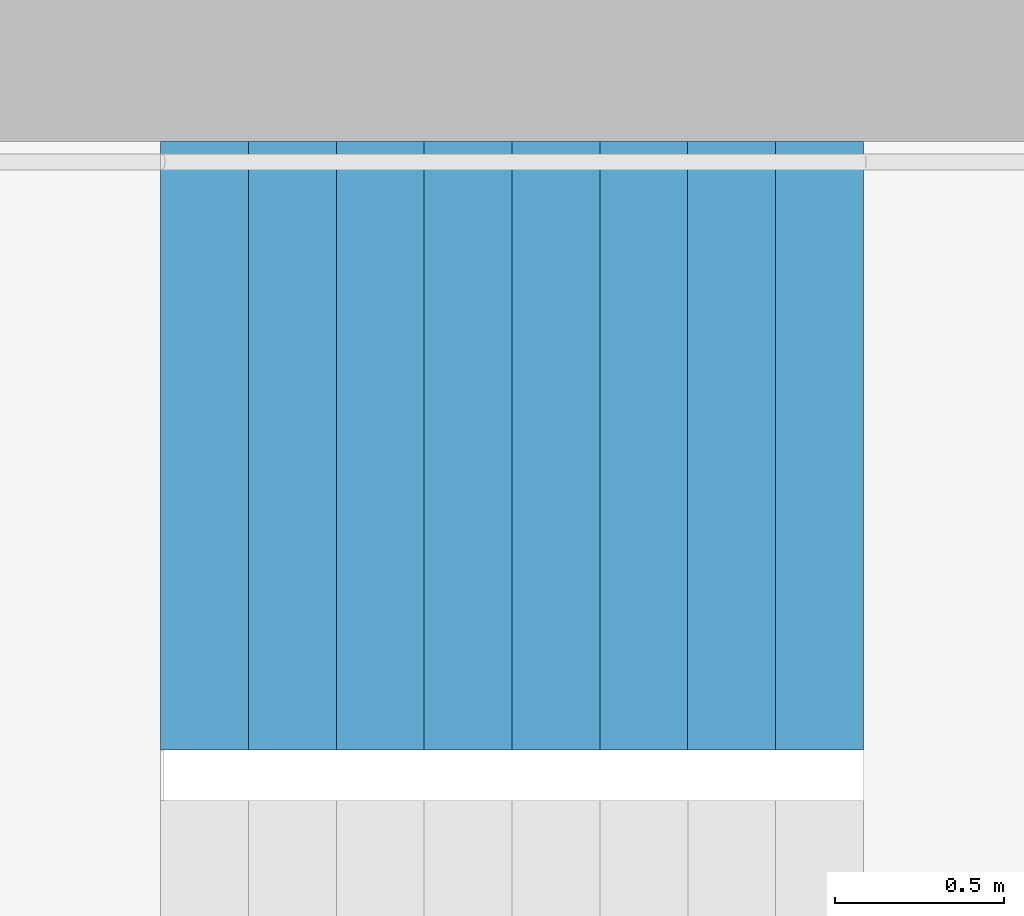
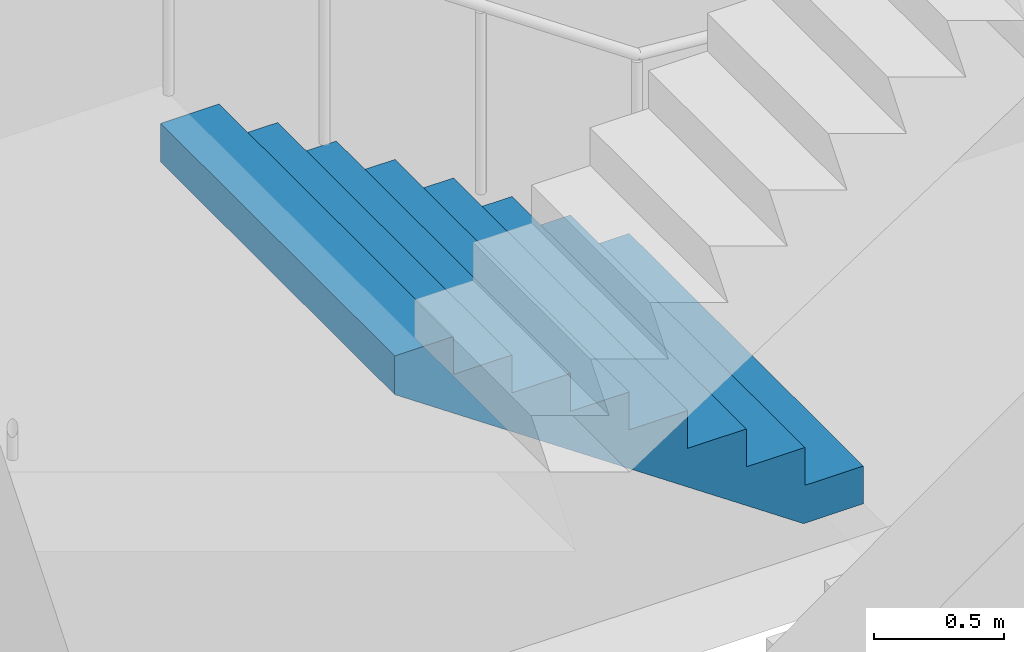
# One storey, part 23 of 44: 1 stair flight, 1 element without a shape of its own.
"""IFC4 building model written with IfcOpenShell, lengths in metres."""

from ifc_helpers import new_model, si_unit, direction, frame, origin, place, context, subcontext, project, spatial, triangles, material, type_object, element, aggregate, save


model = new_model("IFC4")

# Units and contexts
model_context = context("Model", 3, precision=1e-05, world=origin(), true_north=direction((0.0, 1.0)))
body_context = subcontext(model_context, "Body", "Model", "MODEL_VIEW")
ifc_project = project(units=[si_unit("LENGTHUNIT", "METRE"), si_unit("AREAUNIT", "SQUARE_METRE"), si_unit("VOLUMEUNIT", "CUBIC_METRE"), si_unit("PLANEANGLEUNIT", "RADIAN"), si_unit("MASSUNIT", "GRAM", prefix="KILO")], contexts=[model_context])

# Site, building, storey
site_placement = place(None, origin())
site = spatial("IfcSite", under=ifc_project, at=site_placement, CompositionType="ELEMENT")
building_placement = place(site_placement, origin())
building = spatial("IfcBuilding", under=site, at=building_placement, Name="Hakoniwa Tower and Hamabe Station Hall", CompositionType="ELEMENT")
storey_placement = place(building_placement, frame((0.0, 0.0, 69.0)))
storey = spatial("IfcBuildingStorey", under=building, at=storey_placement, Name="L19", CompositionType="ELEMENT", Elevation=69.0)

# Stair, stair flight
ifc_material_1 = material(Name="Concrete C40", Category="concrete")
stair_type = type_object("IfcStairType", Name="ESCAPE STAIR 1800", PredefinedType="HALF_TURN_STAIR", material=ifc_material_1)
stair_placement = place(storey_placement, origin())
stair = element("IfcStair", 1, at=stair_placement, inside=storey, type_object=stair_type, Name="Escape stair ST-1 L19", PredefinedType="HALF_TURN_STAIR")
ifc_material_2 = material(Name="Concrete C40", Category="concrete")
stair_flight_type = type_object("IfcStairFlightType", Name="STAIR FLIGHT 1800", PredefinedType="STRAIGHT", material=ifc_material_2)
stair_flight_placement = place(storey_placement, frame((-22.320068359375, 6.60009765625, 1.60009765625), z_axis=(0.0, 0.0, 1.0), x_axis=(-1.0, 0.0, 0.0)))
stair_flight = element("IfcStairFlight", 2, at=stair_flight_placement, type_object=stair_flight_type, Name="ST-1 flight 2", NumberOfRisers=9, NumberOfTreads=8, PredefinedType="STRAIGHT", RiserHeight=0.177777778, TreadLength=0.26, context=body_context, shape_type="Tessellation", body=[
    triangles([(0.0, 0.89990234375, 0.0), (0.260009765625, 0.89990234375, 0.0), (0.265625, 0.89990234375, 0.0), (0.52001953125, 0.89990234375, 0.174072265625), (0.780029296875, 0.89990234375, 0.351806640625), (1.0400390625, 0.89990234375, 0.529541015625), (1.300048828125, 0.89990234375, 0.707275390625), (1.56005859375, 0.89990234375, 0.885009765625), (1.820068359375, 0.89990234375, 1.062744140625), (2.080078125, 0.89990234375, 1.24072265625), (2.080078125, 0.89990234375, 1.422119140625), (1.820068359375, 0.89990234375, 1.422119140625), (1.820068359375, 0.89990234375, 1.244384765625), (1.56005859375, 0.89990234375, 1.244384765625), (1.56005859375, 0.89990234375, 1.066650390625), (1.300048828125, 0.89990234375, 1.066650390625), (1.300048828125, 0.89990234375, 0.888916015625), (1.0400390625, 0.89990234375, 0.888916015625), (1.0400390625, 0.89990234375, 0.711181640625), (0.780029296875, 0.89990234375, 0.711181640625), (0.780029296875, 0.89990234375, 0.533447265625), (0.52001953125, 0.89990234375, 0.533447265625), (0.52001953125, 0.89990234375, 0.35546875), (0.265625, 0.89990234375, 0.35546875), (0.260009765625, 0.89990234375, 0.35546875), (0.260009765625, 0.89990234375, 0.177734375), (0.0, 0.89990234375, 0.177734375), (0.0, 0.06005859375, 0.0), (0.260009765625, 0.06005859375, 0.0), (0.265625, 0.06005859375, 0.0), (0.52001953125, 0.06005859375, 0.174072265625), (0.780029296875, 0.06005859375, 0.351806640625), (1.0400390625, 0.06005859375, 0.529541015625), (1.300048828125, 0.06005859375, 0.707275390625), (1.56005859375, 0.06005859375, 0.885009765625), (1.820068359375, 0.06005859375, 1.062744140625), (2.080078125, 0.06005859375, 1.24072265625), (2.080078125, 0.06005859375, 1.422119140625), (1.820068359375, 0.06005859375, 1.422119140625), (1.820068359375, 0.06005859375, 1.244384765625), (1.56005859375, 0.06005859375, 1.244384765625), (1.56005859375, 0.06005859375, 1.066650390625), (1.300048828125, 0.06005859375, 1.066650390625), (1.300048828125, 0.06005859375, 0.888916015625), (1.0400390625, 0.06005859375, 0.888916015625), (1.0400390625, 0.06005859375, 0.711181640625), (0.780029296875, 0.06005859375, 0.711181640625), (0.780029296875, 0.06005859375, 0.533447265625), (0.52001953125, 0.06005859375, 0.533447265625), (0.52001953125, 0.06005859375, 0.35546875), (0.265625, 0.06005859375, 0.35546875), (0.260009765625, 0.06005859375, 0.35546875), (0.260009765625, 0.06005859375, 0.177734375), (0.0, 0.06005859375, 0.177734375), (0.0, 0.04296875, 0.0), (0.260009765625, 0.04296875, 0.0), (0.265625, 0.04296875, 0.0), (0.52001953125, 0.04296875, 0.174072265625), (0.780029296875, 0.04296875, 0.351806640625), (1.0400390625, 0.04296875, 0.529541015625), (1.300048828125, 0.04296875, 0.707275390625), (1.56005859375, 0.04296875, 0.885009765625), (1.820068359375, 0.04296875, 1.062744140625), (2.080078125, 0.04296875, 1.24072265625), (2.080078125, 0.04296875, 1.422119140625), (1.820068359375, 0.04296875, 1.422119140625), (1.820068359375, 0.04296875, 1.244384765625), (1.56005859375, 0.04296875, 1.244384765625), (1.56005859375, 0.04296875, 1.066650390625), (1.300048828125, 0.04296875, 1.066650390625), (1.300048828125, 0.04296875, 0.888916015625), (1.0400390625, 0.04296875, 0.888916015625), (1.0400390625, 0.04296875, 0.711181640625), (0.780029296875, 0.04296875, 0.711181640625), (0.780029296875, 0.04296875, 0.533447265625), (0.52001953125, 0.04296875, 0.533447265625), (0.52001953125, 0.04296875, 0.35546875), (0.265625, 0.04296875, 0.35546875), (0.260009765625, 0.04296875, 0.35546875), (0.260009765625, 0.04296875, 0.177734375), (0.0, 0.04296875, 0.177734375), (0.0, 0.025634765625, 0.0), (0.260009765625, 0.025634765625, 0.0), (0.265625, 0.025634765625, 0.0), (0.52001953125, 0.025634765625, 0.174072265625), (0.780029296875, 0.025634765625, 0.351806640625), (1.0400390625, 0.025634765625, 0.529541015625), (1.300048828125, 0.025634765625, 0.707275390625), (1.56005859375, 0.025634765625, 0.885009765625), (1.820068359375, 0.025634765625, 1.062744140625), (2.080078125, 0.025634765625, 1.24072265625), (2.080078125, 0.025634765625, 1.422119140625), (1.820068359375, 0.025634765625, 1.422119140625), (1.820068359375, 0.025634765625, 1.244384765625), (1.56005859375, 0.025634765625, 1.244384765625), (1.56005859375, 0.025634765625, 1.066650390625), (1.300048828125, 0.025634765625, 1.066650390625), (1.300048828125, 0.025634765625, 0.888916015625), (1.0400390625, 0.025634765625, 0.888916015625), (1.0400390625, 0.025634765625, 0.711181640625), (0.780029296875, 0.025634765625, 0.711181640625), (0.780029296875, 0.025634765625, 0.533447265625), (0.52001953125, 0.025634765625, 0.533447265625), (0.52001953125, 0.025634765625, 0.35546875), (0.265625, 0.025634765625, 0.35546875), (0.260009765625, 0.025634765625, 0.35546875), (0.260009765625, 0.025634765625, 0.177734375), (0.0, 0.025634765625, 0.177734375), (0.0, 0.008544921875, 0.0), (0.260009765625, 0.008544921875, 0.0), (0.265625, 0.008544921875, 0.0), (0.52001953125, 0.008544921875, 0.174072265625), (0.780029296875, 0.008544921875, 0.351806640625), (1.0400390625, 0.008544921875, 0.529541015625), (1.300048828125, 0.008544921875, 0.707275390625), (1.56005859375, 0.008544921875, 0.885009765625), (1.820068359375, 0.008544921875, 1.062744140625), (2.080078125, 0.008544921875, 1.24072265625), (2.080078125, 0.008544921875, 1.422119140625), (1.820068359375, 0.008544921875, 1.422119140625), (1.820068359375, 0.008544921875, 1.244384765625), (1.56005859375, 0.008544921875, 1.244384765625), (1.56005859375, 0.008544921875, 1.066650390625), (1.300048828125, 0.008544921875, 1.066650390625), (1.300048828125, 0.008544921875, 0.888916015625), (1.0400390625, 0.008544921875, 0.888916015625), (1.0400390625, 0.008544921875, 0.711181640625), (0.780029296875, 0.008544921875, 0.711181640625), (0.780029296875, 0.008544921875, 0.533447265625), (0.52001953125, 0.008544921875, 0.533447265625), (0.52001953125, 0.008544921875, 0.35546875), (0.265625, 0.008544921875, 0.35546875), (0.260009765625, 0.008544921875, 0.35546875), (0.260009765625, 0.008544921875, 0.177734375), (0.0, 0.008544921875, 0.177734375), (0.0, -0.008544921875, 0.0), (0.260009765625, -0.008544921875, 0.0), (0.265625, -0.008544921875, 0.0), (0.52001953125, -0.008544921875, 0.174072265625), (0.780029296875, -0.008544921875, 0.351806640625), (1.0400390625, -0.008544921875, 0.529541015625), (1.300048828125, -0.008544921875, 0.707275390625), (1.56005859375, -0.008544921875, 0.885009765625), (1.820068359375, -0.008544921875, 1.062744140625), (2.080078125, -0.008544921875, 1.24072265625), (2.080078125, -0.008544921875, 1.422119140625), (1.820068359375, -0.008544921875, 1.422119140625), (1.820068359375, -0.008544921875, 1.244384765625), (1.56005859375, -0.008544921875, 1.244384765625), (1.56005859375, -0.008544921875, 1.066650390625), (1.300048828125, -0.008544921875, 1.066650390625), (1.300048828125, -0.008544921875, 0.888916015625), (1.0400390625, -0.008544921875, 0.888916015625), (1.0400390625, -0.008544921875, 0.711181640625), (0.780029296875, -0.008544921875, 0.711181640625), (0.780029296875, -0.008544921875, 0.533447265625), (0.52001953125, -0.008544921875, 0.533447265625), (0.52001953125, -0.008544921875, 0.35546875), (0.265625, -0.008544921875, 0.35546875), (0.260009765625, -0.008544921875, 0.35546875), (0.260009765625, -0.008544921875, 0.177734375), (0.0, -0.008544921875, 0.177734375), (0.0, -0.025634765625, 0.0), (0.260009765625, -0.025634765625, 0.0), (0.265625, -0.025634765625, 0.0), (0.52001953125, -0.025634765625, 0.174072265625), (0.780029296875, -0.025634765625, 0.351806640625), (1.0400390625, -0.025634765625, 0.529541015625), (1.300048828125, -0.025634765625, 0.707275390625), (1.56005859375, -0.025634765625, 0.885009765625), (1.820068359375, -0.025634765625, 1.062744140625), (2.080078125, -0.025634765625, 1.24072265625), (2.080078125, -0.025634765625, 1.422119140625), (1.820068359375, -0.025634765625, 1.422119140625), (1.820068359375, -0.025634765625, 1.244384765625), (1.56005859375, -0.025634765625, 1.244384765625), (1.56005859375, -0.025634765625, 1.066650390625), (1.300048828125, -0.025634765625, 1.066650390625), (1.300048828125, -0.025634765625, 0.888916015625), (1.0400390625, -0.025634765625, 0.888916015625), (1.0400390625, -0.025634765625, 0.711181640625), (0.780029296875, -0.025634765625, 0.711181640625), (0.780029296875, -0.025634765625, 0.533447265625), (0.52001953125, -0.025634765625, 0.533447265625), (0.52001953125, -0.025634765625, 0.35546875), (0.265625, -0.025634765625, 0.35546875), (0.260009765625, -0.025634765625, 0.35546875), (0.260009765625, -0.025634765625, 0.177734375), (0.0, -0.025634765625, 0.177734375), (0.0, -0.04296875, 0.0), (0.260009765625, -0.04296875, 0.0), (0.265625, -0.04296875, 0.0), (0.52001953125, -0.04296875, 0.174072265625), (0.780029296875, -0.04296875, 0.351806640625), (1.0400390625, -0.04296875, 0.529541015625), (1.300048828125, -0.04296875, 0.707275390625), (1.56005859375, -0.04296875, 0.885009765625), (1.820068359375, -0.04296875, 1.062744140625), (2.080078125, -0.04296875, 1.24072265625), (2.080078125, -0.04296875, 1.422119140625), (1.820068359375, -0.04296875, 1.422119140625), (1.820068359375, -0.04296875, 1.244384765625), (1.56005859375, -0.04296875, 1.244384765625), (1.56005859375, -0.04296875, 1.066650390625), (1.300048828125, -0.04296875, 1.066650390625), (1.300048828125, -0.04296875, 0.888916015625), (1.0400390625, -0.04296875, 0.888916015625), (1.0400390625, -0.04296875, 0.711181640625), (0.780029296875, -0.04296875, 0.711181640625), (0.780029296875, -0.04296875, 0.533447265625), (0.52001953125, -0.04296875, 0.533447265625), (0.52001953125, -0.04296875, 0.35546875), (0.265625, -0.04296875, 0.35546875), (0.260009765625, -0.04296875, 0.35546875), (0.260009765625, -0.04296875, 0.177734375), (0.0, -0.04296875, 0.177734375), (0.0, -0.06005859375, 0.0), (0.260009765625, -0.06005859375, 0.0), (0.265625, -0.06005859375, 0.0), (0.52001953125, -0.06005859375, 0.174072265625), (0.780029296875, -0.06005859375, 0.351806640625), (1.0400390625, -0.06005859375, 0.529541015625), (1.300048828125, -0.06005859375, 0.707275390625), (1.56005859375, -0.06005859375, 0.885009765625), (1.820068359375, -0.06005859375, 1.062744140625), (2.080078125, -0.06005859375, 1.24072265625), (2.080078125, -0.06005859375, 1.422119140625), (1.820068359375, -0.06005859375, 1.422119140625), (1.820068359375, -0.06005859375, 1.244384765625), (1.56005859375, -0.06005859375, 1.244384765625), (1.56005859375, -0.06005859375, 1.066650390625), (1.300048828125, -0.06005859375, 1.066650390625), (1.300048828125, -0.06005859375, 0.888916015625), (1.0400390625, -0.06005859375, 0.888916015625), (1.0400390625, -0.06005859375, 0.711181640625), (0.780029296875, -0.06005859375, 0.711181640625), (0.780029296875, -0.06005859375, 0.533447265625), (0.52001953125, -0.06005859375, 0.533447265625), (0.52001953125, -0.06005859375, 0.35546875), (0.265625, -0.06005859375, 0.35546875), (0.260009765625, -0.06005859375, 0.35546875), (0.260009765625, -0.06005859375, 0.177734375), (0.0, -0.06005859375, 0.177734375), (0.0, -0.89990234375, 0.0), (0.260009765625, -0.89990234375, 0.0), (0.265625, -0.89990234375, 0.0), (0.52001953125, -0.89990234375, 0.174072265625), (0.780029296875, -0.89990234375, 0.351806640625), (1.0400390625, -0.89990234375, 0.529541015625), (1.300048828125, -0.89990234375, 0.707275390625), (1.56005859375, -0.89990234375, 0.885009765625), (1.820068359375, -0.89990234375, 1.062744140625), (2.080078125, -0.89990234375, 1.24072265625), (2.080078125, -0.89990234375, 1.422119140625), (1.820068359375, -0.89990234375, 1.422119140625), (1.820068359375, -0.89990234375, 1.244384765625), (1.56005859375, -0.89990234375, 1.244384765625), (1.56005859375, -0.89990234375, 1.066650390625), (1.300048828125, -0.89990234375, 1.066650390625), (1.300048828125, -0.89990234375, 0.888916015625), (1.0400390625, -0.89990234375, 0.888916015625), (1.0400390625, -0.89990234375, 0.711181640625), (0.780029296875, -0.89990234375, 0.711181640625), (0.780029296875, -0.89990234375, 0.533447265625), (0.52001953125, -0.89990234375, 0.533447265625), (0.52001953125, -0.89990234375, 0.35546875), (0.265625, -0.89990234375, 0.35546875), (0.260009765625, -0.89990234375, 0.35546875), (0.260009765625, -0.89990234375, 0.177734375), (0.0, -0.89990234375, 0.177734375)], [[2, 27, 26], [245, 269, 270], [2, 1, 27], [245, 270, 244], [3, 25, 24], [246, 267, 268], [3, 26, 25], [246, 268, 269], [3, 2, 26], [246, 269, 245], [4, 24, 23], [247, 266, 267], [4, 3, 24], [247, 267, 246], [5, 22, 21], [248, 264, 265], [5, 23, 22], [248, 265, 266], [5, 4, 23], [248, 266, 247], [6, 20, 19], [249, 262, 263], [6, 21, 20], [249, 263, 264], [6, 5, 21], [249, 264, 248], [7, 18, 17], [250, 260, 261], [7, 19, 18], [250, 261, 262], [7, 6, 19], [250, 262, 249], [8, 16, 15], [251, 258, 259], [8, 17, 16], [251, 259, 260], [8, 7, 17], [251, 260, 250], [9, 14, 13], [252, 256, 257], [9, 15, 14], [252, 257, 258], [9, 8, 15], [252, 258, 251], [10, 12, 11], [253, 254, 255], [10, 13, 12], [253, 255, 256], [10, 9, 13], [253, 256, 252], [1, 2, 29], [1, 29, 28], [28, 29, 56], [28, 56, 55], [55, 56, 83], [55, 83, 82], [82, 83, 110], [82, 110, 109], [109, 110, 137], [109, 137, 136], [136, 137, 164], [136, 164, 163], [163, 164, 191], [163, 191, 190], [190, 191, 218], [190, 218, 217], [217, 218, 245], [217, 245, 244], [2, 3, 30], [2, 30, 29], [29, 30, 57], [29, 57, 56], [56, 57, 84], [56, 84, 83], [83, 84, 111], [83, 111, 110], [110, 111, 138], [110, 138, 137], [137, 138, 165], [137, 165, 164], [164, 165, 192], [164, 192, 191], [191, 192, 219], [191, 219, 218], [218, 219, 246], [218, 246, 245], [3, 4, 31], [3, 31, 30], [30, 31, 58], [30, 58, 57], [57, 58, 85], [57, 85, 84], [84, 85, 112], [84, 112, 111], [111, 112, 139], [111, 139, 138], [138, 139, 166], [138, 166, 165], [165, 166, 193], [165, 193, 192], [192, 193, 220], [192, 220, 219], [219, 220, 247], [219, 247, 246], [4, 5, 32], [4, 32, 31], [31, 32, 59], [31, 59, 58], [58, 59, 86], [58, 86, 85], [85, 86, 113], [85, 113, 112], [112, 113, 140], [112, 140, 139], [139, 140, 167], [139, 167, 166], [166, 167, 194], [166, 194, 193], [193, 194, 221], [193, 221, 220], [220, 221, 248], [220, 248, 247], [5, 6, 33], [5, 33, 32], [32, 33, 60], [32, 60, 59], [59, 60, 87], [59, 87, 86], [86, 87, 114], [86, 114, 113], [113, 114, 141], [113, 141, 140], [140, 141, 168], [140, 168, 167], [167, 168, 195], [167, 195, 194], [194, 195, 222], [194, 222, 221], [221, 222, 249], [221, 249, 248], [6, 7, 34], [6, 34, 33], [33, 34, 61], [33, 61, 60], [60, 61, 88], [60, 88, 87], [87, 88, 115], [87, 115, 114], [114, 115, 142], [114, 142, 141], [141, 142, 169], [141, 169, 168], [168, 169, 196], [168, 196, 195], [195, 196, 223], [195, 223, 222], [222, 223, 250], [222, 250, 249], [7, 8, 35], [7, 35, 34], [34, 35, 62], [34, 62, 61], [61, 62, 89], [61, 89, 88], [88, 89, 116], [88, 116, 115], [115, 116, 143], [115, 143, 142], [142, 143, 170], [142, 170, 169], [169, 170, 197], [169, 197, 196], [196, 197, 224], [196, 224, 223], [223, 224, 251], [223, 251, 250], [8, 9, 36], [8, 36, 35], [35, 36, 63], [35, 63, 62], [62, 63, 90], [62, 90, 89], [89, 90, 117], [89, 117, 116], [116, 117, 144], [116, 144, 143], [143, 144, 171], [143, 171, 170], [170, 171, 198], [170, 198, 197], [197, 198, 225], [197, 225, 224], [224, 225, 252], [224, 252, 251], [9, 10, 37], [9, 37, 36], [36, 37, 64], [36, 64, 63], [63, 64, 91], [63, 91, 90], [90, 91, 118], [90, 118, 117], [117, 118, 145], [117, 145, 144], [144, 145, 172], [144, 172, 171], [171, 172, 199], [171, 199, 198], [198, 199, 226], [198, 226, 225], [225, 226, 253], [225, 253, 252], [10, 11, 38], [10, 38, 37], [37, 38, 65], [37, 65, 64], [64, 65, 92], [64, 92, 91], [91, 92, 119], [91, 119, 118], [118, 119, 146], [118, 146, 145], [145, 146, 173], [145, 173, 172], [172, 173, 200], [172, 200, 199], [199, 200, 227], [199, 227, 226], [226, 227, 254], [226, 254, 253], [11, 12, 39], [11, 39, 38], [38, 39, 66], [38, 66, 65], [65, 66, 93], [65, 93, 92], [92, 93, 120], [92, 120, 119], [119, 120, 147], [119, 147, 146], [146, 147, 174], [146, 174, 173], [173, 174, 201], [173, 201, 200], [200, 201, 228], [200, 228, 227], [227, 228, 255], [227, 255, 254], [12, 13, 40], [12, 40, 39], [39, 40, 67], [39, 67, 66], [66, 67, 94], [66, 94, 93], [93, 94, 121], [93, 121, 120], [120, 121, 148], [120, 148, 147], [147, 148, 175], [147, 175, 174], [174, 175, 202], [174, 202, 201], [201, 202, 229], [201, 229, 228], [228, 229, 256], [228, 256, 255], [13, 14, 41], [13, 41, 40], [40, 41, 68], [40, 68, 67], [67, 68, 95], [67, 95, 94], [94, 95, 122], [94, 122, 121], [121, 122, 149], [121, 149, 148], [148, 149, 176], [148, 176, 175], [175, 176, 203], [175, 203, 202], [202, 203, 230], [202, 230, 229], [229, 230, 257], [229, 257, 256], [14, 15, 42], [14, 42, 41], [41, 42, 69], [41, 69, 68], [68, 69, 96], [68, 96, 95], [95, 96, 123], [95, 123, 122], [122, 123, 150], [122, 150, 149], [149, 150, 177], [149, 177, 176], [176, 177, 204], [176, 204, 203], [203, 204, 231], [203, 231, 230], [230, 231, 258], [230, 258, 257], [15, 16, 43], [15, 43, 42], [42, 43, 70], [42, 70, 69], [69, 70, 97], [69, 97, 96], [96, 97, 124], [96, 124, 123], [123, 124, 151], [123, 151, 150], [150, 151, 178], [150, 178, 177], [177, 178, 205], [177, 205, 204], [204, 205, 232], [204, 232, 231], [231, 232, 259], [231, 259, 258], [16, 17, 44], [16, 44, 43], [43, 44, 71], [43, 71, 70], [70, 71, 98], [70, 98, 97], [97, 98, 125], [97, 125, 124], [124, 125, 152], [124, 152, 151], [151, 152, 179], [151, 179, 178], [178, 179, 206], [178, 206, 205], [205, 206, 233], [205, 233, 232], [232, 233, 260], [232, 260, 259], [17, 18, 45], [17, 45, 44], [44, 45, 72], [44, 72, 71], [71, 72, 99], [71, 99, 98], [98, 99, 126], [98, 126, 125], [125, 126, 153], [125, 153, 152], [152, 153, 180], [152, 180, 179], [179, 180, 207], [179, 207, 206], [206, 207, 234], [206, 234, 233], [233, 234, 261], [233, 261, 260], [18, 19, 46], [18, 46, 45], [45, 46, 73], [45, 73, 72], [72, 73, 100], [72, 100, 99], [99, 100, 127], [99, 127, 126], [126, 127, 154], [126, 154, 153], [153, 154, 181], [153, 181, 180], [180, 181, 208], [180, 208, 207], [207, 208, 235], [207, 235, 234], [234, 235, 262], [234, 262, 261], [19, 20, 47], [19, 47, 46], [46, 47, 74], [46, 74, 73], [73, 74, 101], [73, 101, 100], [100, 101, 128], [100, 128, 127], [127, 128, 155], [127, 155, 154], [154, 155, 182], [154, 182, 181], [181, 182, 209], [181, 209, 208], [208, 209, 236], [208, 236, 235], [235, 236, 263], [235, 263, 262], [20, 21, 48], [20, 48, 47], [47, 48, 75], [47, 75, 74], [74, 75, 102], [74, 102, 101], [101, 102, 129], [101, 129, 128], [128, 129, 156], [128, 156, 155], [155, 156, 183], [155, 183, 182], [182, 183, 210], [182, 210, 209], [209, 210, 237], [209, 237, 236], [236, 237, 264], [236, 264, 263], [21, 22, 49], [21, 49, 48], [48, 49, 76], [48, 76, 75], [75, 76, 103], [75, 103, 102], [102, 103, 130], [102, 130, 129], [129, 130, 157], [129, 157, 156], [156, 157, 184], [156, 184, 183], [183, 184, 211], [183, 211, 210], [210, 211, 238], [210, 238, 237], [237, 238, 265], [237, 265, 264], [22, 23, 50], [22, 50, 49], [49, 50, 77], [49, 77, 76], [76, 77, 104], [76, 104, 103], [103, 104, 131], [103, 131, 130], [130, 131, 158], [130, 158, 157], [157, 158, 185], [157, 185, 184], [184, 185, 212], [184, 212, 211], [211, 212, 239], [211, 239, 238], [238, 239, 266], [238, 266, 265], [23, 24, 51], [23, 51, 50], [50, 51, 78], [50, 78, 77], [77, 78, 105], [77, 105, 104], [104, 105, 132], [104, 132, 131], [131, 132, 159], [131, 159, 158], [158, 159, 186], [158, 186, 185], [185, 186, 213], [185, 213, 212], [212, 213, 240], [212, 240, 239], [239, 240, 267], [239, 267, 266], [24, 25, 52], [24, 52, 51], [51, 52, 79], [51, 79, 78], [78, 79, 106], [78, 106, 105], [105, 106, 133], [105, 133, 132], [132, 133, 160], [132, 160, 159], [159, 160, 187], [159, 187, 186], [186, 187, 214], [186, 214, 213], [213, 214, 241], [213, 241, 240], [240, 241, 268], [240, 268, 267], [25, 26, 53], [25, 53, 52], [52, 53, 80], [52, 80, 79], [79, 80, 107], [79, 107, 106], [106, 107, 134], [106, 134, 133], [133, 134, 161], [133, 161, 160], [160, 161, 188], [160, 188, 187], [187, 188, 215], [187, 215, 214], [214, 215, 242], [214, 242, 241], [241, 242, 269], [241, 269, 268], [26, 27, 54], [26, 54, 53], [53, 54, 81], [53, 81, 80], [80, 81, 108], [80, 108, 107], [107, 108, 135], [107, 135, 134], [134, 135, 162], [134, 162, 161], [161, 162, 189], [161, 189, 188], [188, 189, 216], [188, 216, 215], [215, 216, 243], [215, 243, 242], [242, 243, 270], [242, 270, 269], [27, 1, 28], [27, 28, 54], [54, 28, 55], [54, 55, 81], [81, 55, 82], [81, 82, 108], [108, 82, 109], [108, 109, 135], [135, 109, 136], [135, 136, 162], [162, 136, 163], [162, 163, 189], [189, 163, 190], [189, 190, 216], [216, 190, 217], [216, 217, 243], [243, 217, 244], [243, 244, 270]], closed=True),
])
aggregate(stair, [stair_flight])

save(model, "model.ifc")
